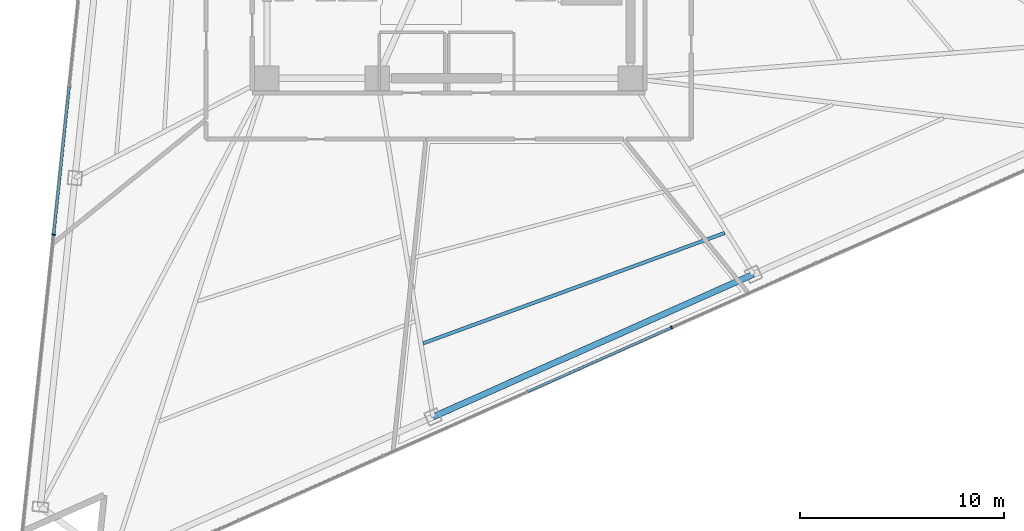
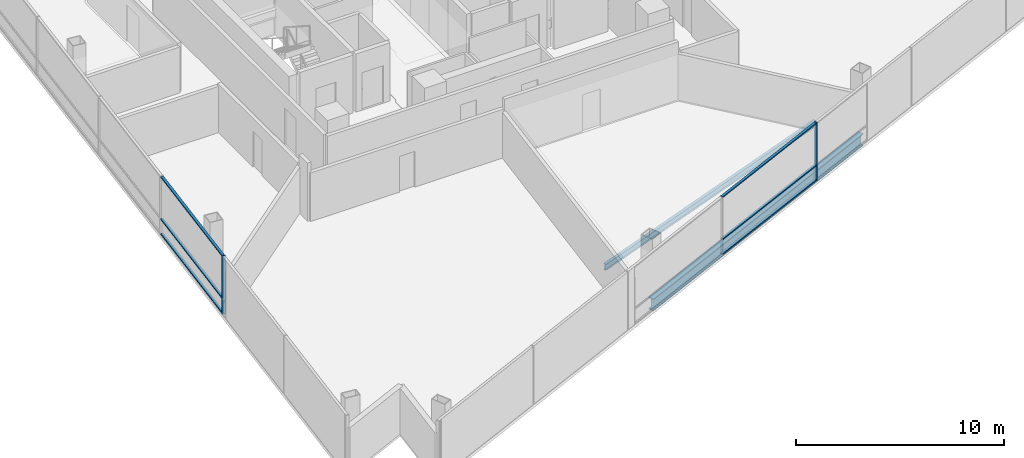
# One storey, part 3 of 17: 8 members, 2 beams, 2 elements without a shape of their own.
"""IFC4 building model written with IfcOpenShell, lengths in metres."""

from ifc_helpers import new_model, si_unit, direction, frame, origin, origin_2d, place, context, subcontext, project, spatial, rectangle, i_section, extrude, material, layer, layer_set, material_profile, profile_set, type_object, element, aggregate, save


model = new_model("IFC4")

# Units and contexts
model_context = context("Model", 3, precision=1e-05, world=origin(), true_north=direction((0.0, 1.0)))
body_context = subcontext(model_context, "Body", "Model", "MODEL_VIEW")
ifc_project = project(units=[si_unit("LENGTHUNIT", "METRE"), si_unit("AREAUNIT", "SQUARE_METRE"), si_unit("VOLUMEUNIT", "CUBIC_METRE"), si_unit("PLANEANGLEUNIT", "RADIAN"), si_unit("MASSUNIT", "GRAM", prefix="KILO")], contexts=[model_context])

# Site, building, storey
site_placement = place(None, origin())
site = spatial("IfcSite", under=ifc_project, at=site_placement, CompositionType="ELEMENT")
building_placement = place(site_placement, origin())
building = spatial("IfcBuilding", under=site, at=building_placement, Name="Tharavind Bronze Gate", CompositionType="ELEMENT")
storey_placement = place(building_placement, frame((0.0, 0.0, 119.64990234375)))
storey = spatial("IfcBuildingStorey", under=building, at=storey_placement, Name="L30", CompositionType="ELEMENT", Elevation=119.64990234375)

# Curtain wall, member
ifc_material_1 = material(Name="Anodised Bronze Aluminium", Category="aluminium")
ifc_layer = layer(ifc_material_1, 0.219970703125)
ifc_layer_set = layer_set([ifc_layer], Name="Anodised Bronze Aluminium")
curtain_wall_type = type_object("IfcCurtainWallType", Name="UNITISED CURTAIN WALL LOWER OFFICE", PredefinedType="USERDEFINED", material=ifc_layer_set)
curtain_wall_1_placement = place(storey_placement, origin())
curtain_wall_1 = element("IfcCurtainWall", 1, at=curtain_wall_1_placement, inside=storey, type_object=curtain_wall_type, Name="L30 unitised curtain wall lower office CW-L30-S1", ObjectType="UNITISED CURTAIN WALL", PredefinedType="USERDEFINED")
member_type_1 = type_object("IfcMemberType", Name="CURTAIN WALL BRONZE MULLION 65X180", PredefinedType="MULLION", material=ifc_material_1)
member_1_placement = place(storey_placement, frame((-19.349853515625, -15.2646484375, 0.0), z_axis=(0.0, 0.0, 1.0), x_axis=(-0.104526727499, -0.994522077803, 0.0)))
member_1 = element("IfcMember", 2, at=member_1_placement, type_object=member_type_1, Name="CW-L30-S1 mullion 6", PredefinedType="MULLION", context=body_context, shape_type="SweptSolid", body=[
    extrude(rectangle(XDim=0.06494140625, YDim=0.179931640625, at=origin_2d()), origin(), (0.0, 0.0, 1.0), 3.409912109375),
])

curtain_wall_2_placement = place(storey_placement, origin())
curtain_wall_2 = element("IfcCurtainWall", 3, at=curtain_wall_2_placement, inside=storey, type_object=curtain_wall_type, Name="L30 unitised curtain wall lower office CW-L30-S2", ObjectType="UNITISED CURTAIN WALL", PredefinedType="USERDEFINED")
member_2_placement = place(storey_placement, frame((10.913330078125, -19.80859375, 0.0), z_axis=(0.0, 0.0, 1.0), x_axis=(0.913545457643, 0.406736643076, 0.0)))
member_2 = element("IfcMember", 4, at=member_2_placement, type_object=member_type_1, Name="CW-L30-S2 mullion 5", PredefinedType="MULLION", context=body_context, shape_type="SweptSolid", body=[
    extrude(rectangle(XDim=0.06494140625, YDim=0.179931640625, at=origin_2d()), origin(), (0.0, 0.0, 1.0), 3.409912109375),
])

# Member
member_type_2 = type_object("IfcMemberType", Name="CURTAIN WALL BRONZE TRANSOM 65X140", PredefinedType="USERDEFINED", material=ifc_material_1)
member_3_placement = place(storey_placement, frame((-18.967529296875, -11.628173828125, 0.000244140625), z_axis=(0.0, 0.0, 1.0), x_axis=(-0.104526727499, -0.994522077803, 0.0)))
member_3 = element("IfcMember", 5, at=member_3_placement, type_object=member_type_2, Name="CW-L30-S1 transom TB5", ObjectType="TRANSOM", PredefinedType="USERDEFINED", context=body_context, shape_type="SweptSolid", body=[
    extrude(rectangle(XDim=7.26025390625, YDim=0.139892578125, at=origin_2d()), origin(), (0.0, 0.0, 1.0), 0.06494140625),
])

member_4_placement = place(storey_placement, frame((-18.967529296875, -11.628173828125, 0.86767578125), z_axis=(0.0, 0.0, 1.0), x_axis=(-0.104526727499, -0.994522077803, 0.0)))
member_4 = element("IfcMember", 6, at=member_4_placement, type_object=member_type_2, Name="CW-L30-S1 transom TS5", ObjectType="TRANSOM", PredefinedType="USERDEFINED", context=body_context, shape_type="SweptSolid", body=[
    extrude(rectangle(XDim=7.26025390625, YDim=0.139892578125, at=origin_2d()), origin(), (0.0, 0.0, 1.0), 0.06494140625),
])

member_5_placement = place(storey_placement, frame((-18.967529296875, -11.628173828125, 3.34521484375), z_axis=(0.0, 0.0, 1.0), x_axis=(-0.104526727499, -0.994522077803, 0.0)))
member_5 = element("IfcMember", 7, at=member_5_placement, type_object=member_type_2, Name="CW-L30-S1 transom TT5", ObjectType="TRANSOM", PredefinedType="USERDEFINED", context=body_context, shape_type="SweptSolid", body=[
    extrude(rectangle(XDim=7.26025390625, YDim=0.139892578125, at=origin_2d()), origin(), (0.0, 0.0, 1.0), 0.06494140625),
])

aggregate(curtain_wall_1, [member_1, member_3, member_4, member_5])

member_6_placement = place(storey_placement, frame((7.38232421875, -21.380859375, 0.000244140625), z_axis=(0.0, 0.0, 1.0), x_axis=(0.913545457643, 0.406736643076, 0.0)))
member_6 = element("IfcMember", 8, at=member_6_placement, type_object=member_type_2, Name="CW-L30-S2 transom TB4", ObjectType="TRANSOM", PredefinedType="USERDEFINED", context=body_context, shape_type="SweptSolid", body=[
    extrude(rectangle(XDim=7.677490234375, YDim=0.139892578125, at=origin_2d()), origin(), (0.0, 0.0, 1.0), 0.06494140625),
])

member_7_placement = place(storey_placement, frame((7.38232421875, -21.380859375, 0.86767578125), z_axis=(0.0, 0.0, 1.0), x_axis=(0.913545457643, 0.406736643076, 0.0)))
member_7 = element("IfcMember", 9, at=member_7_placement, type_object=member_type_2, Name="CW-L30-S2 transom TS4", ObjectType="TRANSOM", PredefinedType="USERDEFINED", context=body_context, shape_type="SweptSolid", body=[
    extrude(rectangle(XDim=7.677490234375, YDim=0.139892578125, at=origin_2d()), origin(), (0.0, 0.0, 1.0), 0.06494140625),
])

member_8_placement = place(storey_placement, frame((7.38232421875, -21.380859375, 3.34521484375), z_axis=(0.0, 0.0, 1.0), x_axis=(0.913545457643, 0.406736643076, 0.0)))
member_8 = element("IfcMember", 10, at=member_8_placement, type_object=member_type_2, Name="CW-L30-S2 transom TT4", ObjectType="TRANSOM", PredefinedType="USERDEFINED", context=body_context, shape_type="SweptSolid", body=[
    extrude(rectangle(XDim=7.677490234375, YDim=0.139892578125, at=origin_2d()), origin(), (0.0, 0.0, 1.0), 0.06494140625),
])

aggregate(curtain_wall_2, [member_2, member_6, member_7, member_8])

# Beams
ifc_material_2 = material(Name="Steel S355", Category="steel")
ifc_material_profile_1 = material_profile(ifc_material_2, i_section(OverallWidth=0.300048828125, OverallDepth=0.699951171875, WebThickness=0.01708984375, FlangeThickness=0.031982421875, at=origin_2d()), Name="HE700B")
ifc_profile_set_1 = profile_set([ifc_material_profile_1], Name="Steel S355")
beam_type_1 = type_object("IfcBeamType", Name="RING GIRDER HE700B", PredefinedType="USERDEFINED", material=ifc_profile_set_1)
beam_1_placement = place(storey_placement, frame((-0.766357421875, -24.18798828125, -0.539794921875), z_axis=(0.913546351362, 0.406734635744, 0.0), x_axis=(-0.406734635744, 0.913546351362, 0.0)))
element("IfcBeam", 11, at=beam_1_placement, inside=storey, type_object=beam_type_1, Name="L30 ring girder he700b BM-L30-PRG06", ObjectType="GIRDER", PredefinedType="USERDEFINED", context=body_context, shape_type="SweptSolid", body=[
    extrude(i_section(OverallWidth=0.300048828125, OverallDepth=0.699951171875, WebThickness=0.01708984375, FlangeThickness=0.031982421875, at=origin_2d()), origin(), (0.0, 0.0, 1.0), 17.171875),
])
ifc_material_profile_2 = material_profile(ifc_material_2, i_section(OverallWidth=0.169921875, OverallDepth=0.360107421875, WebThickness=0.008056640625, FlangeThickness=0.0126953125, at=origin_2d()), Name="IPE360")
ifc_profile_set_2 = profile_set([ifc_material_profile_2], Name="Steel S355")
beam_type_2 = type_object("IfcBeamType", Name="SECONDARY FLOOR JOIST IPE360", PredefinedType="JOIST", material=ifc_profile_set_2)
beam_2_placement = place(storey_placement, frame((-1.25, -20.58349609375, -0.369873046875), z_axis=(0.939077650043, 0.343705058428, 0.0), x_axis=(-0.343705058428, 0.939077650043, 0.0)))
element("IfcBeam", 12, at=beam_2_placement, inside=storey, type_object=beam_type_2, Name="L30 secondary floor joist ipe360 BM-L30-JSTB06", PredefinedType="JOIST", context=body_context, shape_type="SweptSolid", body=[
    extrude(i_section(OverallWidth=0.169921875, OverallDepth=0.360107421875, WebThickness=0.008056640625, FlangeThickness=0.0126953125, at=origin_2d()), origin(), (0.0, 0.0, 1.0), 15.72998046875),
])

save(model, "model.ifc")
